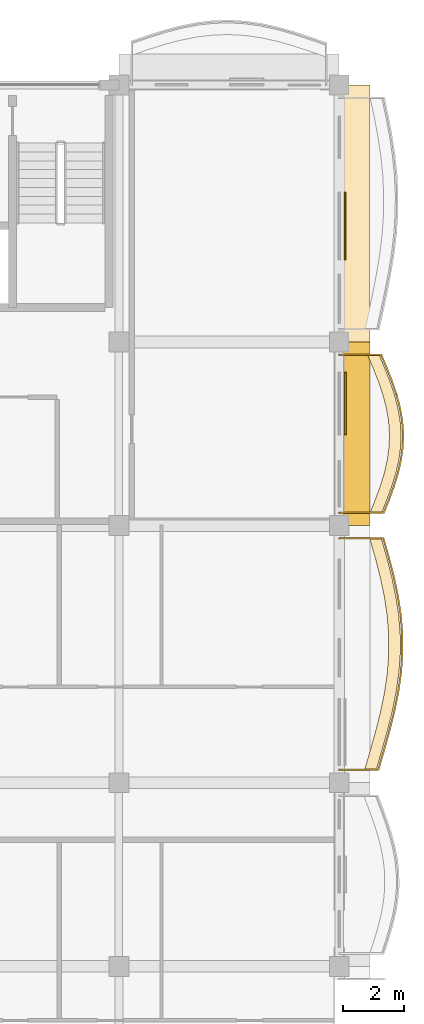
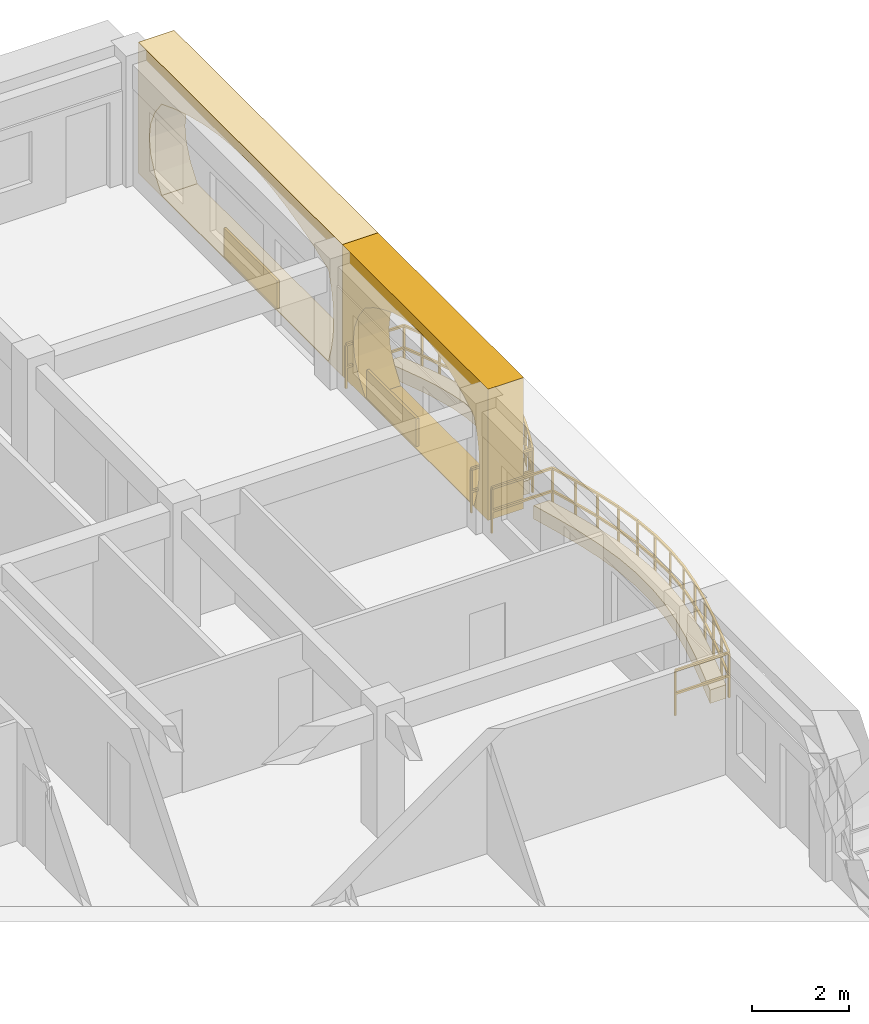
# One storey, part 69 of 70: 6 coverings, 2 railings.
"""IFC4 building model written with IfcOpenShell, lengths in metres."""

from ifc_helpers import new_model, si_unit, direction, frame, origin, origin_2d, place, context, subcontext, project, spatial, polyline, rectangle, outline, extrude, material, layer, layer_set, type_object, element, save


model = new_model("IFC4")

# Units and contexts
model_context = context("Model", 3, precision=1e-05, world=origin(), true_north=direction((0.0, 1.0)))
body_context = subcontext(model_context, "Body", "Model", "MODEL_VIEW")
ifc_project = project(units=[si_unit("LENGTHUNIT", "METRE"), si_unit("AREAUNIT", "SQUARE_METRE"), si_unit("VOLUMEUNIT", "CUBIC_METRE"), si_unit("PLANEANGLEUNIT", "RADIAN"), si_unit("MASSUNIT", "GRAM", prefix="KILO"), si_unit("THERMODYNAMICTEMPERATUREUNIT", "KELVIN")], contexts=[model_context])

# Site, building, storey
site_placement = place(None, origin())
site = spatial("IfcSite", under=ifc_project, at=site_placement, CompositionType="ELEMENT")
building_placement = place(site_placement, origin())
building = spatial("IfcBuilding", under=site, at=building_placement, Name="Thalorik Housing Commons", CompositionType="ELEMENT")
storey_placement = place(building_placement, frame((0.0, 0.0, 14.699951171875)))
storey = spatial("IfcBuildingStorey", under=building, at=storey_placement, Name="L04", CompositionType="ELEMENT", Elevation=14.699951171875)

# Coverings
ifc_material_1 = material(Name="Precast concrete C40/50", Category="concrete")
ifc_layer_1 = layer(ifc_material_1, 0.85009765625, Name="Precast concrete C40/50", Category="concrete")
ifc_layer_set_1 = layer_set([ifc_layer_1], Name="Precast concrete C40/50")
covering_type_1 = type_object("IfcCoveringType", Name="ARC-CLD-CUSH-850", PredefinedType="CLADDING", material=ifc_layer_set_1)
covering_1_placement = place(storey_placement, frame((174.577392578125, 112.199951171875, 0.0), z_axis=(0.0, 0.0, 1.0), x_axis=(0.0, 1.0, 0.0)))
element("IfcCovering", 1, at=covering_1_placement, inside=storey, type_object=covering_type_1, Name="L04 White Precast Curved Cushion Bay Frame 2008", PredefinedType="CLADDING", context=body_context, shape_type="SweptSolid", body=[
    extrude(outline(polyline([(-3.0, 0.0), (3.0, 0.0), (3.0, 3.300048828125), (-3.0, 3.300048828125), (-3.0, 0.0)]), holes=[polyline([(2.06005859375, 0.02490234375), (2.332275390625, 0.40087890625), (2.49560546875, 0.776611328125), (2.550048828125, 1.152587890625), (2.49560546875, 1.5283203125), (2.332275390625, 1.904296875), (2.06005859375, 2.280029296875), (1.685791015625, 2.51123046875), (1.311767578125, 2.693115234375), (0.9375, 2.840087890625), (0.563232421875, 2.94970703125), (0.189208984375, 3.01708984375), (-0.18505859375, 3.0400390625), (-0.55908203125, 3.01708984375), (-0.933349609375, 2.94970703125), (-1.3076171875, 2.840087890625), (-1.681640625, 2.693115234375), (-2.055908203125, 2.51123046875), (-2.429931640625, 2.280029296875), (-2.55029296875, 1.904296875), (-2.62255859375, 1.5283203125), (-2.646484375, 1.152587890625), (-2.62255859375, 0.776611328125), (-2.55029296875, 0.40087890625), (-2.429931640625, 0.02490234375), (2.06005859375, 0.02490234375)])]), frame((0.0, 0.425048828125, 0.0), z_axis=(0.0, -1.0, 0.0), x_axis=(1.0, 0.0, 0.0)), (0.0, 0.0, 1.0), 0.85009765625),
])
covering_2_placement = place(storey_placement, frame((174.577392578125, 119.39990234375, 0.0), z_axis=(0.0, 0.0, 1.0), x_axis=(0.0, 1.0, 0.0)))
element("IfcCovering", 2, at=covering_2_placement, inside=storey, type_object=covering_type_1, Name="L04 White Precast Curved Cushion Bay Frame 2010", PredefinedType="CLADDING", context=body_context, shape_type="SweptSolid", body=[
    extrude(outline(polyline([(-4.199951171875, 0.0), (4.199951171875, 0.0), (4.199951171875, 3.300048828125), (-4.199951171875, 3.300048828125), (-4.199951171875, 0.0)]), holes=[polyline([(3.239990234375, 0.02490234375), (3.523193359375, 0.407470703125), (3.693359375, 0.7900390625), (3.75, 1.172607421875), (3.693359375, 1.554931640625), (3.523193359375, 1.9375), (3.239990234375, 2.320068359375), (2.66748046875, 2.539306640625), (2.094970703125, 2.711181640625), (1.5224609375, 2.8505859375), (0.949951171875, 2.954345703125), (0.37744140625, 3.018310546875), (-0.195068359375, 3.0400390625), (-0.767578125, 3.018310546875), (-1.340087890625, 2.954345703125), (-1.91259765625, 2.8505859375), (-2.485107421875, 2.711181640625), (-3.0576171875, 2.539306640625), (-3.6298828125, 2.320068359375), (-3.750244140625, 1.9375), (-3.822509765625, 1.554931640625), (-3.8466796875, 1.172607421875), (-3.822509765625, 0.7900390625), (-3.750244140625, 0.407470703125), (-3.6298828125, 0.02490234375), (3.239990234375, 0.02490234375)])]), frame((0.0, 0.425048828125, 0.0), z_axis=(0.0, -1.0, 0.0), x_axis=(1.0, 0.0, 0.0)), (0.0, 0.0, 1.0), 0.85009765625),
])
ifc_material_2 = material(Name="Terracotta red mineral fibre-cement panel", Category="masonry")
ifc_layer_2 = layer(ifc_material_2, 0.054931640625, Name="Terracotta red mineral fibre-cement panel", Category="masonry")
ifc_layer_set_2 = layer_set([ifc_layer_2], Name="Terracotta red mineral fibre-cement panel")
covering_type_2 = type_object("IfcCoveringType", Name="ARC-CLD-RED-55", PredefinedType="CLADDING", material=ifc_layer_set_2)
covering_3_placement = place(storey_placement, frame((174.18505859375, 118.989990234375, 0.05029296875), z_axis=(0.0, 0.0, 1.0), x_axis=(0.0, 1.0, 0.0)))
element("IfcCovering", 3, at=covering_3_placement, inside=storey, type_object=covering_type_2, Name="L04 De Stijl Recessed Window Spandrel 2011", PredefinedType="CLADDING", context=body_context, shape_type="SweptSolid", body=[
    extrude(rectangle(XDim=2.199951171875, YDim=0.054931640625, at=origin_2d()), origin(), (0.0, 0.0, 1.0), 0.699951171875),
])
ifc_material_3 = material(Name="Mineral ochre architectural terracotta panel", Category="masonry")
ifc_layer_3 = layer(ifc_material_3, 0.06494140625, Name="Mineral ochre architectural terracotta panel", Category="masonry")
ifc_layer_set_3 = layer_set([ifc_layer_3], Name="Mineral ochre architectural terracotta panel")
covering_type_3 = type_object("IfcCoveringType", Name="ARC-CLD-YEL-65", PredefinedType="CLADDING", material=ifc_layer_set_3)
covering_4_placement = place(storey_placement, frame((174.18994140625, 113.18994140625, 0.05029296875), z_axis=(0.0, 0.0, 1.0), x_axis=(0.0, 1.0, 0.0)))
element("IfcCovering", 4, at=covering_4_placement, inside=storey, type_object=covering_type_3, Name="L04 De Stijl Recessed Window Spandrel 2009", PredefinedType="CLADDING", context=body_context, shape_type="SweptSolid", body=[
    extrude(rectangle(XDim=2.0400390625, YDim=0.06494140625, at=origin_2d()), origin(), (0.0, 0.0, 1.0), 0.699951171875),
])
ifc_material_4 = material(Name="Planted vegetated substrate and terracotta trough", Category="masonry")
ifc_layer_4 = layer(ifc_material_4, 0.340087890625, Name="Planted vegetated substrate and terracotta trough", Category="masonry")
ifc_layer_set_4 = layer_set([ifc_layer_4], Name="Planted vegetated substrate and terracotta trough")
covering_type_4 = type_object("IfcCoveringType", Name="ARC-COV-PLANTER", PredefinedType="USERDEFINED", material=ifc_layer_set_4)
covering_5_placement = place(storey_placement, origin())
element("IfcCovering", 5, at=covering_5_placement, inside=storey, type_object=covering_type_4, Name="L04 Balcony Slab-Edge Planted Trough 5462", ObjectType="PLANTER", PredefinedType="USERDEFINED", context=body_context, shape_type="SweptSolid", body=[
    extrude(outline(polyline([(175.387451171875, 109.6201171875), (175.55908203125, 110.050048828125), (175.716552734375, 110.47998046875), (175.84912109375, 110.909912109375), (175.947998046875, 111.340087890625), (176.006591796875, 111.77001953125), (176.02099609375, 112.199951171875), (175.98974609375, 112.6298828125), (175.91455078125, 113.06005859375), (175.80029296875, 113.489990234375), (175.654296875, 113.919921875), (175.485595703125, 114.35009765625), (175.30517578125, 114.780029296875), (174.92529296875, 114.780029296875), (175.105712890625, 114.35009765625), (175.2744140625, 113.919921875), (175.42041015625, 113.489990234375), (175.53466796875, 113.06005859375), (175.609619140625, 112.6298828125), (175.640869140625, 112.199951171875), (175.626708984375, 111.77001953125), (175.568115234375, 111.340087890625), (175.468994140625, 110.909912109375), (175.33642578125, 110.47998046875), (175.17919921875, 110.050048828125), (175.00732421875, 109.6201171875), (175.387451171875, 109.6201171875)])), origin(), (0.0, 0.0, 1.0), 0.340087890625),
])
covering_6_placement = place(storey_placement, origin())
element("IfcCovering", 6, at=covering_6_placement, inside=storey, type_object=covering_type_4, Name="L04 Balcony Slab-Edge Planted Trough 5467", ObjectType="PLANTER", PredefinedType="USERDEFINED", context=body_context, shape_type="SweptSolid", body=[
    extrude(outline(polyline([(175.20849609375, 101.219970703125), (175.391357421875, 101.85009765625), (175.568115234375, 102.47998046875), (175.72705078125, 103.110107421875), (175.856689453125, 103.739990234375), (175.9482421875, 104.3701171875), (175.9951171875, 105.0), (175.993896484375, 105.6298828125), (175.944580078125, 106.260009765625), (175.8505859375, 106.889892578125), (175.71826171875, 107.52001953125), (175.556396484375, 108.14990234375), (175.376220703125, 108.780029296875), (174.996337890625, 108.780029296875), (175.17626953125, 108.14990234375), (175.338134765625, 107.52001953125), (175.470703125, 106.889892578125), (175.564697265625, 106.260009765625), (175.614013671875, 105.6298828125), (175.614990234375, 105.0), (175.568359375, 104.3701171875), (175.476806640625, 103.739990234375), (175.34716796875, 103.110107421875), (175.188232421875, 102.47998046875), (175.01123046875, 101.85009765625), (174.82861328125, 101.219970703125), (175.20849609375, 101.219970703125)])), origin(), (0.0, 0.0, 1.0), 0.340087890625),
])

# Railings
ifc_material_5 = material(Name="Steel S355", Category="steel")
railing_type_1 = type_object("IfcRailingType", Name="ARC-RL-BAL-112", PredefinedType="BALUSTRADE", material=ifc_material_5)
railing_1_placement = place(storey_placement, frame((174.0, 109.6201171875, 0.0)))
element("IfcRailing", 7, at=railing_1_placement, inside=storey, type_object=railing_type_1, Name="L04 Cushion Balcony Guardrail 146", PredefinedType="BALUSTRADE", context=body_context, shape_type="SweptSolid", body=[
    extrude(rectangle(XDim=0.050048828125, YDim=0.050048828125, at=origin_2d()), frame((0.0, 0.0, 1.09521484375), z_axis=(1.0, 0.0, 0.0), x_axis=(0.0, 1.0, 0.0)), (0.0, 0.0, 1.0), 1.45751953125),
    extrude(rectangle(XDim=0.050048828125, YDim=0.050048828125, at=origin_2d()), frame((0.0, 0.0, 0.53515625), z_axis=(1.0, 0.0, 0.0), x_axis=(0.0, 1.0, 0.0)), (0.0, 0.0, 1.0), 1.45751953125),
    extrude(rectangle(XDim=0.050048828125, YDim=0.050048828125, at=origin_2d()), frame((1.45751953125, 0.0, 1.09521484375), z_axis=(0.370754085774, 0.928731074037, 0.0), x_axis=(-0.928731074037, 0.370754085774, 0.0)), (0.0, 0.0, 1.0), 0.462890625),
    extrude(rectangle(XDim=0.050048828125, YDim=0.050048828125, at=origin_2d()), frame((1.45751953125, 0.0, 0.53515625), z_axis=(0.370754085774, 0.928731074037, 0.0), x_axis=(-0.928731074037, 0.370754085774, 0.0)), (0.0, 0.0, 1.0), 0.462890625),
    extrude(rectangle(XDim=0.050048828125, YDim=0.050048828125, at=origin_2d()), frame((1.629150390625, 0.429931640625, 1.09521484375), z_axis=(0.343925610057, 0.938996898156, 0.0), x_axis=(-0.938996898156, 0.343925610057, 0.0)), (0.0, 0.0, 1.0), 0.457763671875),
    extrude(rectangle(XDim=0.050048828125, YDim=0.050048828125, at=origin_2d()), frame((1.629150390625, 0.429931640625, 0.53515625), z_axis=(0.343925610057, 0.938996898156, 0.0), x_axis=(-0.938996898156, 0.343925610057, 0.0)), (0.0, 0.0, 1.0), 0.457763671875),
    extrude(rectangle(XDim=0.050048828125, YDim=0.050048828125, at=origin_2d()), frame((1.78662109375, 0.85986328125, 1.09521484375), z_axis=(0.294162124108, 0.955755536076, 0.0), x_axis=(-0.955755536076, 0.294162124108, 0.0)), (0.0, 0.0, 1.0), 0.449951171875),
    extrude(rectangle(XDim=0.050048828125, YDim=0.050048828125, at=origin_2d()), frame((1.78662109375, 0.85986328125, 0.53515625), z_axis=(0.294162124108, 0.955755536076, 0.0), x_axis=(-0.955755536076, 0.294162124108, 0.0)), (0.0, 0.0, 1.0), 0.449951171875),
    extrude(rectangle(XDim=0.050048828125, YDim=0.050048828125, at=origin_2d()), frame((1.9189453125, 1.289794921875, 1.09521484375), z_axis=(0.22453636678, 0.974465710014, 0.0), x_axis=(-0.974465710014, 0.22453636678, 0.0)), (0.0, 0.0, 1.0), 0.44140625),
    extrude(rectangle(XDim=0.050048828125, YDim=0.050048828125, at=origin_2d()), frame((1.9189453125, 1.289794921875, 0.53515625), z_axis=(0.22453636678, 0.974465710014, 0.0), x_axis=(-0.974465710014, 0.22453636678, 0.0)), (0.0, 0.0, 1.0), 0.44140625),
    extrude(rectangle(XDim=0.050048828125, YDim=0.050048828125, at=origin_2d()), frame((2.01806640625, 1.719970703125, 1.09521484375), z_axis=(0.135037878954, 0.990840436825, 0.0), x_axis=(-0.990840436825, 0.135037878954, 0.0)), (0.0, 0.0, 1.0), 0.433837890625),
    extrude(rectangle(XDim=0.050048828125, YDim=0.050048828125, at=origin_2d()), frame((2.01806640625, 1.719970703125, 0.53515625), z_axis=(0.135037878954, 0.990840436825, 0.0), x_axis=(-0.990840436825, 0.135037878954, 0.0)), (0.0, 0.0, 1.0), 0.433837890625),
    extrude(rectangle(XDim=0.050048828125, YDim=0.050048828125, at=origin_2d()), frame((2.07666015625, 2.14990234375, 1.09521484375), z_axis=(0.032917982549, 0.999458056361, 0.0), x_axis=(-0.999458056361, 0.032917982549, 0.0)), (0.0, 0.0, 1.0), 0.43017578125),
    extrude(rectangle(XDim=0.050048828125, YDim=0.050048828125, at=origin_2d()), frame((2.07666015625, 2.14990234375, 0.53515625), z_axis=(0.032917982549, 0.999458056361, 0.0), x_axis=(-0.999458056361, 0.032917982549, 0.0)), (0.0, 0.0, 1.0), 0.43017578125),
    extrude(rectangle(XDim=0.050048828125, YDim=0.050048828125, at=origin_2d()), frame((2.0908203125, 2.579833984375, 1.09521484375), z_axis=(-0.071931299149, 0.997409588987, 0.0), x_axis=(-0.997409588987, -0.071931299149, 0.0)), (0.0, 0.0, 1.0), 0.43115234375),
    extrude(rectangle(XDim=0.050048828125, YDim=0.050048828125, at=origin_2d()), frame((2.0908203125, 2.579833984375, 0.53515625), z_axis=(-0.071931299149, 0.997409588987, 0.0), x_axis=(-0.997409588987, -0.071931299149, 0.0)), (0.0, 0.0, 1.0), 0.43115234375),
    extrude(rectangle(XDim=0.050048828125, YDim=0.050048828125, at=origin_2d()), frame((2.059814453125, 3.009765625, 1.09521484375), z_axis=(-0.172190471919, 0.98506367377, 0.0), x_axis=(-0.98506367377, -0.172190471919, 0.0)), (0.0, 0.0, 1.0), 0.436767578125),
    extrude(rectangle(XDim=0.050048828125, YDim=0.050048828125, at=origin_2d()), frame((2.059814453125, 3.009765625, 0.53515625), z_axis=(-0.172190471919, 0.98506367377, 0.0), x_axis=(-0.98506367377, -0.172190471919, 0.0)), (0.0, 0.0, 1.0), 0.436767578125),
    extrude(rectangle(XDim=0.050048828125, YDim=0.050048828125, at=origin_2d()), frame((1.984619140625, 3.43994140625, 1.09521484375), z_axis=(-0.256842759672, 0.966453204663, 0.0), x_axis=(-0.966453204663, -0.256842759672, 0.0)), (0.0, 0.0, 1.0), 0.44482421875),
    extrude(rectangle(XDim=0.050048828125, YDim=0.050048828125, at=origin_2d()), frame((1.984619140625, 3.43994140625, 0.53515625), z_axis=(-0.256842759672, 0.966453204663, 0.0), x_axis=(-0.966453204663, -0.256842759672, 0.0)), (0.0, 0.0, 1.0), 0.44482421875),
    extrude(rectangle(XDim=0.050048828125, YDim=0.050048828125, at=origin_2d()), frame((1.870361328125, 3.869873046875, 1.09521484375), z_axis=(-0.321546041533, 0.946893945051, 0.0), x_axis=(-0.946893945051, -0.321546041533, 0.0)), (0.0, 0.0, 1.0), 0.4541015625),
    extrude(rectangle(XDim=0.050048828125, YDim=0.050048828125, at=origin_2d()), frame((1.870361328125, 3.869873046875, 0.53515625), z_axis=(-0.321546041533, 0.946893945051, 0.0), x_axis=(-0.946893945051, -0.321546041533, 0.0)), (0.0, 0.0, 1.0), 0.4541015625),
    extrude(rectangle(XDim=0.050048828125, YDim=0.050048828125, at=origin_2d()), frame((1.724365234375, 4.2998046875, 1.09521484375), z_axis=(-0.365096507922, 0.93096967722, 0.0), x_axis=(-0.93096967722, -0.365096507922, 0.0)), (0.0, 0.0, 1.0), 0.462158203125),
    extrude(rectangle(XDim=0.050048828125, YDim=0.050048828125, at=origin_2d()), frame((1.724365234375, 4.2998046875, 0.53515625), z_axis=(-0.365096507922, 0.93096967722, 0.0), x_axis=(-0.93096967722, -0.365096507922, 0.0)), (0.0, 0.0, 1.0), 0.462158203125),
    extrude(rectangle(XDim=0.050048828125, YDim=0.050048828125, at=origin_2d()), frame((1.5556640625, 4.72998046875, 1.09521484375), z_axis=(-0.386956501768, 0.922097969708, 0.0), x_axis=(-0.922097969708, -0.386956501768, 0.0)), (0.0, 0.0, 1.0), 0.46630859375),
    extrude(rectangle(XDim=0.050048828125, YDim=0.050048828125, at=origin_2d()), frame((1.5556640625, 4.72998046875, 0.53515625), z_axis=(-0.386956501768, 0.922097969708, 0.0), x_axis=(-0.922097969708, -0.386956501768, 0.0)), (0.0, 0.0, 1.0), 0.46630859375),
    extrude(rectangle(XDim=0.050048828125, YDim=0.050048828125, at=origin_2d()), frame((1.375244140625, 5.159912109375, 1.09521484375), z_axis=(-1.0, 0.0, 0.0), x_axis=(0.0, -1.0, 0.0)), (0.0, 0.0, 1.0), 1.375244140625),
    extrude(rectangle(XDim=0.050048828125, YDim=0.050048828125, at=origin_2d()), frame((1.375244140625, 5.159912109375, 0.53515625), z_axis=(-1.0, 0.0, 0.0), x_axis=(0.0, -1.0, 0.0)), (0.0, 0.0, 1.0), 1.375244140625),
    extrude(rectangle(XDim=0.0419921875, YDim=0.0419921875, at=origin_2d()), origin(), (0.0, 0.0, 1.0), 1.070068359375),
    extrude(rectangle(XDim=0.0419921875, YDim=0.0419921875, at=origin_2d()), frame((1.45751953125, 0.0, 0.0)), (0.0, 0.0, 1.0), 1.070068359375),
    extrude(rectangle(XDim=0.0419921875, YDim=0.0419921875, at=origin_2d()), frame((1.629150390625, 0.429931640625, 0.0)), (0.0, 0.0, 1.0), 1.070068359375),
    extrude(rectangle(XDim=0.0419921875, YDim=0.0419921875, at=origin_2d()), frame((1.78662109375, 0.85986328125, 0.0)), (0.0, 0.0, 1.0), 1.070068359375),
    extrude(rectangle(XDim=0.0419921875, YDim=0.0419921875, at=origin_2d()), frame((1.9189453125, 1.289794921875, 0.0)), (0.0, 0.0, 1.0), 1.070068359375),
    extrude(rectangle(XDim=0.0419921875, YDim=0.0419921875, at=origin_2d()), frame((2.01806640625, 1.719970703125, 0.0)), (0.0, 0.0, 1.0), 1.070068359375),
    extrude(rectangle(XDim=0.0419921875, YDim=0.0419921875, at=origin_2d()), frame((2.07666015625, 2.14990234375, 0.0)), (0.0, 0.0, 1.0), 1.070068359375),
    extrude(rectangle(XDim=0.0419921875, YDim=0.0419921875, at=origin_2d()), frame((2.0908203125, 2.579833984375, 0.0)), (0.0, 0.0, 1.0), 1.070068359375),
    extrude(rectangle(XDim=0.0419921875, YDim=0.0419921875, at=origin_2d()), frame((2.059814453125, 3.009765625, 0.0)), (0.0, 0.0, 1.0), 1.070068359375),
    extrude(rectangle(XDim=0.0419921875, YDim=0.0419921875, at=origin_2d()), frame((1.984619140625, 3.43994140625, 0.0)), (0.0, 0.0, 1.0), 1.070068359375),
    extrude(rectangle(XDim=0.0419921875, YDim=0.0419921875, at=origin_2d()), frame((1.870361328125, 3.869873046875, 0.0)), (0.0, 0.0, 1.0), 1.070068359375),
    extrude(rectangle(XDim=0.0419921875, YDim=0.0419921875, at=origin_2d()), frame((1.724365234375, 4.2998046875, 0.0)), (0.0, 0.0, 1.0), 1.070068359375),
    extrude(rectangle(XDim=0.0419921875, YDim=0.0419921875, at=origin_2d()), frame((1.5556640625, 4.72998046875, 0.0)), (0.0, 0.0, 1.0), 1.070068359375),
    extrude(rectangle(XDim=0.0419921875, YDim=0.0419921875, at=origin_2d()), frame((1.375244140625, 5.159912109375, 0.0)), (0.0, 0.0, 1.0), 1.070068359375),
    extrude(rectangle(XDim=0.0419921875, YDim=0.0419921875, at=origin_2d()), frame((0.0, 5.159912109375, 0.0)), (0.0, 0.0, 1.0), 1.070068359375),
])
railing_type_2 = type_object("IfcRailingType", Name="ARC-RL-BAL-115", PredefinedType="BALUSTRADE", material=ifc_material_5)
railing_2_placement = place(storey_placement, frame((174.0, 101.219970703125, 0.0)))
element("IfcRailing", 8, at=railing_2_placement, inside=storey, type_object=railing_type_2, Name="L04 Cushion Balcony Guardrail 151", PredefinedType="BALUSTRADE", context=body_context, shape_type="SweptSolid", body=[
    extrude(rectangle(XDim=0.050048828125, YDim=0.050048828125, at=origin_2d()), frame((0.0, 0.0, 1.125), z_axis=(1.0, 0.0, 0.0), x_axis=(0.0, 1.0, 0.0)), (0.0, 0.0, 1.0), 1.278564453125),
    extrude(rectangle(XDim=0.050048828125, YDim=0.050048828125, at=origin_2d()), frame((0.0, 0.0, 0.5498046875), z_axis=(1.0, 0.0, 0.0), x_axis=(0.0, 1.0, 0.0)), (0.0, 0.0, 1.0), 1.278564453125),
    extrude(rectangle(XDim=0.050048828125, YDim=0.050048828125, at=origin_2d()), frame((1.278564453125, 0.0, 1.125), z_axis=(0.278356245929, 0.960477902063, 0.0), x_axis=(-0.960477902063, 0.278356245929, 0.0)), (0.0, 0.0, 1.0), 0.656005859375),
    extrude(rectangle(XDim=0.050048828125, YDim=0.050048828125, at=origin_2d()), frame((1.278564453125, 0.0, 0.5498046875), z_axis=(0.278356245929, 0.960477902063, 0.0), x_axis=(-0.960477902063, 0.278356245929, 0.0)), (0.0, 0.0, 1.0), 0.656005859375),
    extrude(rectangle(XDim=0.050048828125, YDim=0.050048828125, at=origin_2d()), frame((1.461181640625, 0.630126953125, 1.125), z_axis=(0.270529450453, 0.962711699543, 0.0), x_axis=(-0.962711699543, 0.270529450453, 0.0)), (0.0, 0.0, 1.0), 0.654296875),
    extrude(rectangle(XDim=0.050048828125, YDim=0.050048828125, at=origin_2d()), frame((1.461181640625, 0.630126953125, 0.5498046875), z_axis=(0.270529450453, 0.962711699543, 0.0), x_axis=(-0.962711699543, 0.270529450453, 0.0)), (0.0, 0.0, 1.0), 0.654296875),
    extrude(rectangle(XDim=0.050048828125, YDim=0.050048828125, at=origin_2d()), frame((1.63818359375, 1.260009765625, 1.125), z_axis=(0.244568188441, 0.969632095799, 0.0), x_axis=(-0.969632095799, 0.244568188441, 0.0)), (0.0, 0.0, 1.0), 0.64990234375),
    extrude(rectangle(XDim=0.050048828125, YDim=0.050048828125, at=origin_2d()), frame((1.63818359375, 1.260009765625, 0.5498046875), z_axis=(0.244568188441, 0.969632095799, 0.0), x_axis=(-0.969632095799, 0.244568188441, 0.0)), (0.0, 0.0, 1.0), 0.64990234375),
    extrude(rectangle(XDim=0.050048828125, YDim=0.050048828125, at=origin_2d()), frame((1.797119140625, 1.89013671875, 1.125), z_axis=(0.201588649293, 0.979470273401, 0.0), x_axis=(-0.979470273401, 0.201588649293, 0.0)), (0.0, 0.0, 1.0), 0.64306640625),
    extrude(rectangle(XDim=0.050048828125, YDim=0.050048828125, at=origin_2d()), frame((1.797119140625, 1.89013671875, 0.5498046875), z_axis=(0.201588649293, 0.979470273401, 0.0), x_axis=(-0.979470273401, 0.201588649293, 0.0)), (0.0, 0.0, 1.0), 0.64306640625),
    extrude(rectangle(XDim=0.050048828125, YDim=0.050048828125, at=origin_2d()), frame((1.9267578125, 2.52001953125, 1.125), z_axis=(0.143782826291, 0.989609265753, 0.0), x_axis=(-0.989609265753, 0.143782826291, 0.0)), (0.0, 0.0, 1.0), 0.63671875),
    extrude(rectangle(XDim=0.050048828125, YDim=0.050048828125, at=origin_2d()), frame((1.9267578125, 2.52001953125, 0.5498046875), z_axis=(0.143782826291, 0.989609265753, 0.0), x_axis=(-0.989609265753, 0.143782826291, 0.0)), (0.0, 0.0, 1.0), 0.63671875),
    extrude(rectangle(XDim=0.050048828125, YDim=0.050048828125, at=origin_2d()), frame((2.018310546875, 3.150146484375, 1.125), z_axis=(0.074213386745, 0.997242384392, 0.0), x_axis=(-0.997242384392, 0.074213386745, 0.0)), (0.0, 0.0, 1.0), 0.631591796875),
    extrude(rectangle(XDim=0.050048828125, YDim=0.050048828125, at=origin_2d()), frame((2.018310546875, 3.150146484375, 0.5498046875), z_axis=(0.074213386745, 0.997242384392, 0.0), x_axis=(-0.997242384392, 0.074213386745, 0.0)), (0.0, 0.0, 1.0), 0.631591796875),
    extrude(rectangle(XDim=0.050048828125, YDim=0.050048828125, at=origin_2d()), frame((2.065185546875, 3.780029296875, 1.125), z_axis=(-0.001937980857, 0.999998122113, 0.0), x_axis=(-0.999998122113, -0.001937980857, 0.0)), (0.0, 0.0, 1.0), 0.6298828125),
    extrude(rectangle(XDim=0.050048828125, YDim=0.050048828125, at=origin_2d()), frame((2.065185546875, 3.780029296875, 0.5498046875), z_axis=(-0.001937980857, 0.999998122113, 0.0), x_axis=(-0.999998122113, -0.001937980857, 0.0)), (0.0, 0.0, 1.0), 0.6298828125),
    extrude(rectangle(XDim=0.050048828125, YDim=0.050048828125, at=origin_2d()), frame((2.06396484375, 4.409912109375, 1.125), z_axis=(-0.07802563861, 0.996951352735, 0.0), x_axis=(-0.996951352735, -0.07802563861, 0.0)), (0.0, 0.0, 1.0), 0.632080078125),
    extrude(rectangle(XDim=0.050048828125, YDim=0.050048828125, at=origin_2d()), frame((2.06396484375, 4.409912109375, 0.5498046875), z_axis=(-0.07802563861, 0.996951352735, 0.0), x_axis=(-0.996951352735, -0.07802563861, 0.0)), (0.0, 0.0, 1.0), 0.632080078125),
    extrude(rectangle(XDim=0.050048828125, YDim=0.050048828125, at=origin_2d()), frame((2.0146484375, 5.0400390625, 1.125), z_axis=(-0.147590577236, 0.989048543556, 0.0), x_axis=(-0.989048543556, -0.147590577236, 0.0)), (0.0, 0.0, 1.0), 0.636962890625),
    extrude(rectangle(XDim=0.050048828125, YDim=0.050048828125, at=origin_2d()), frame((2.0146484375, 5.0400390625, 0.5498046875), z_axis=(-0.147590577236, 0.989048543556, 0.0), x_axis=(-0.989048543556, -0.147590577236, 0.0)), (0.0, 0.0, 1.0), 0.636962890625),
    extrude(rectangle(XDim=0.050048828125, YDim=0.050048828125, at=origin_2d()), frame((1.920654296875, 5.669921875, 1.125), z_axis=(-0.20587672176, 0.97857793529, 0.0), x_axis=(-0.97857793529, -0.20587672176, 0.0)), (0.0, 0.0, 1.0), 0.64404296875),
    extrude(rectangle(XDim=0.050048828125, YDim=0.050048828125, at=origin_2d()), frame((1.920654296875, 5.669921875, 0.5498046875), z_axis=(-0.20587672176, 0.97857793529, 0.0), x_axis=(-0.97857793529, -0.20587672176, 0.0)), (0.0, 0.0, 1.0), 0.64404296875),
    extrude(rectangle(XDim=0.050048828125, YDim=0.050048828125, at=origin_2d()), frame((1.7880859375, 6.300048828125, 1.125), z_axis=(-0.248890129479, 0.968531725576, 0.0), x_axis=(-0.968531725576, -0.248890129479, 0.0)), (0.0, 0.0, 1.0), 0.650390625),
    extrude(rectangle(XDim=0.050048828125, YDim=0.050048828125, at=origin_2d()), frame((1.7880859375, 6.300048828125, 0.5498046875), z_axis=(-0.248890129479, 0.968531725576, 0.0), x_axis=(-0.968531725576, -0.248890129479, 0.0)), (0.0, 0.0, 1.0), 0.650390625),
    extrude(rectangle(XDim=0.050048828125, YDim=0.050048828125, at=origin_2d()), frame((1.626220703125, 6.929931640625, 1.125), z_axis=(-0.274573508273, 0.96156611242, 0.0), x_axis=(-0.96156611242, -0.274573508273, 0.0)), (0.0, 0.0, 1.0), 0.6552734375),
    extrude(rectangle(XDim=0.050048828125, YDim=0.050048828125, at=origin_2d()), frame((1.626220703125, 6.929931640625, 0.5498046875), z_axis=(-0.274573508273, 0.96156611242, 0.0), x_axis=(-0.96156611242, -0.274573508273, 0.0)), (0.0, 0.0, 1.0), 0.6552734375),
    extrude(rectangle(XDim=0.050048828125, YDim=0.050048828125, at=origin_2d()), frame((1.4462890625, 7.56005859375, 1.125), z_axis=(-1.0, 0.0, 0.0), x_axis=(0.0, -1.0, 0.0)), (0.0, 0.0, 1.0), 1.4462890625),
    extrude(rectangle(XDim=0.050048828125, YDim=0.050048828125, at=origin_2d()), frame((1.4462890625, 7.56005859375, 0.5498046875), z_axis=(-1.0, 0.0, 0.0), x_axis=(0.0, -1.0, 0.0)), (0.0, 0.0, 1.0), 1.4462890625),
    extrude(rectangle(XDim=0.0419921875, YDim=0.0419921875, at=origin_2d()), origin(), (0.0, 0.0, 1.0), 1.099853515625),
    extrude(rectangle(XDim=0.0419921875, YDim=0.0419921875, at=origin_2d()), frame((1.278564453125, 0.0, 0.0)), (0.0, 0.0, 1.0), 1.099853515625),
    extrude(rectangle(XDim=0.0419921875, YDim=0.0419921875, at=origin_2d()), frame((1.461181640625, 0.630126953125, 0.0)), (0.0, 0.0, 1.0), 1.099853515625),
    extrude(rectangle(XDim=0.0419921875, YDim=0.0419921875, at=origin_2d()), frame((1.63818359375, 1.260009765625, 0.0)), (0.0, 0.0, 1.0), 1.099853515625),
    extrude(rectangle(XDim=0.0419921875, YDim=0.0419921875, at=origin_2d()), frame((1.797119140625, 1.89013671875, 0.0)), (0.0, 0.0, 1.0), 1.099853515625),
    extrude(rectangle(XDim=0.0419921875, YDim=0.0419921875, at=origin_2d()), frame((1.9267578125, 2.52001953125, 0.0)), (0.0, 0.0, 1.0), 1.099853515625),
    extrude(rectangle(XDim=0.0419921875, YDim=0.0419921875, at=origin_2d()), frame((2.018310546875, 3.150146484375, 0.0)), (0.0, 0.0, 1.0), 1.099853515625),
    extrude(rectangle(XDim=0.0419921875, YDim=0.0419921875, at=origin_2d()), frame((2.065185546875, 3.780029296875, 0.0)), (0.0, 0.0, 1.0), 1.099853515625),
    extrude(rectangle(XDim=0.0419921875, YDim=0.0419921875, at=origin_2d()), frame((2.06396484375, 4.409912109375, 0.0)), (0.0, 0.0, 1.0), 1.099853515625),
    extrude(rectangle(XDim=0.0419921875, YDim=0.0419921875, at=origin_2d()), frame((2.0146484375, 5.0400390625, 0.0)), (0.0, 0.0, 1.0), 1.099853515625),
    extrude(rectangle(XDim=0.0419921875, YDim=0.0419921875, at=origin_2d()), frame((1.920654296875, 5.669921875, 0.0)), (0.0, 0.0, 1.0), 1.099853515625),
    extrude(rectangle(XDim=0.0419921875, YDim=0.0419921875, at=origin_2d()), frame((1.7880859375, 6.300048828125, 0.0)), (0.0, 0.0, 1.0), 1.099853515625),
    extrude(rectangle(XDim=0.0419921875, YDim=0.0419921875, at=origin_2d()), frame((1.626220703125, 6.929931640625, 0.0)), (0.0, 0.0, 1.0), 1.099853515625),
    extrude(rectangle(XDim=0.0419921875, YDim=0.0419921875, at=origin_2d()), frame((1.4462890625, 7.56005859375, 0.0)), (0.0, 0.0, 1.0), 1.099853515625),
    extrude(rectangle(XDim=0.0419921875, YDim=0.0419921875, at=origin_2d()), frame((0.0, 7.56005859375, 0.0)), (0.0, 0.0, 1.0), 1.099853515625),
])

save(model, "model.ifc")
